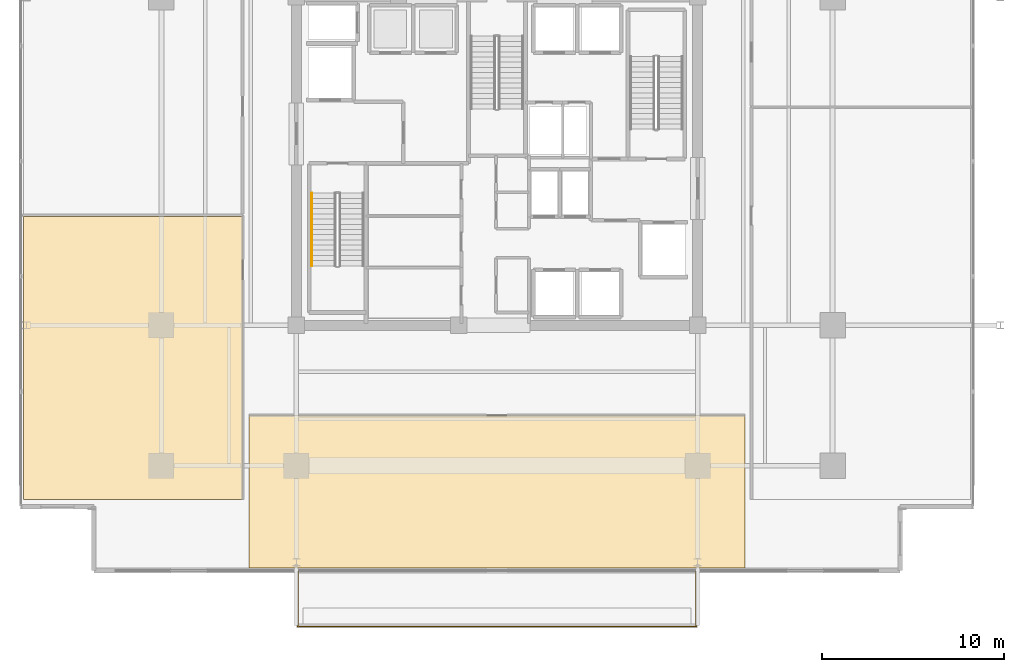
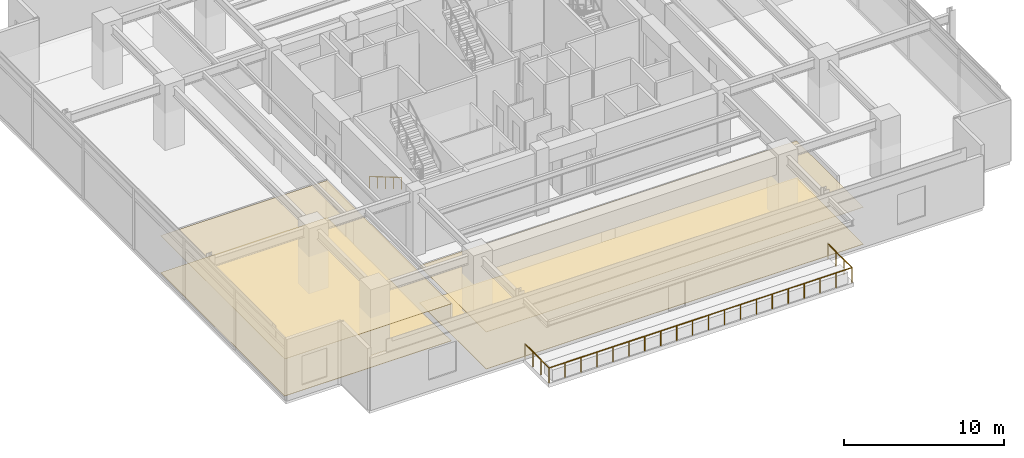
# One storey, part 20 of 25: 4 coverings, 2 railings.
"""IFC4 building model written with IfcOpenShell, lengths in metres."""

import ifcopenshell
import ifcopenshell.guid

model = None  # the IFC model being written
_history = None  # IfcOwnerHistory: only IFC2X3 demands one
_inside = {}  # id of a spatial element -> (the spatial element, [elements in it])
_under = {}  # id of a project, library or spatial element -> (it, [spatial elements below it])
_declared = {}  # id of a project -> (the project, [libraries it declares])
_typed = {}  # id of a type object -> (the type object, [elements of that type])
_made_of = {}  # id of a material, layer set ... -> (it, [elements and type objects made of it])


def new_model(schema):
    """Start an empty IFC model of exactly this schema.

    Asked for "IFC4X3", IfcOpenShell would pick the latest addendum, in which some entities
    have other attributes; the version numbers below select the first issue.
    IFC2X3 requires an IfcOwnerHistory on every rooted entity: one is made here for all.
    """
    global model, _history
    if schema == "IFC4X3":
        model = ifcopenshell.file(schema_version=(4, 3, 0, 0))
    else:
        model = ifcopenshell.file(schema=schema)
    _inside.clear()
    _under.clear()
    _declared.clear()
    _typed.clear()
    _made_of.clear()
    _history = None
    if model.schema == "IFC2X3":
        org = make("IfcOrganization", Name="unknown")
        user = make(
            "IfcPersonAndOrganization",
            ThePerson=make("IfcPerson", FamilyName="unknown"),
            TheOrganization=org,
        )
        app = make(
            "IfcApplication",
            ApplicationDeveloper=org,
            Version="unknown",
            ApplicationFullName="unknown",
            ApplicationIdentifier="unknown",
        )
        _history = make(
            "IfcOwnerHistory",
            OwningUser=user,
            OwningApplication=app,
            ChangeAction="ADDED",
            CreationDate=0,
        )
    return model


def make(cls, **values):
    """One entity of the class cls with the attributes given. An attribute that is None is left unset."""
    return model.create_entity(
        cls, **{name: value for name, value in values.items() if value is not None}
    )


def rooted(cls, **values):
    """An entity with a GlobalId (a new one), such as an element, a storey or a relation."""
    return make(cls, GlobalId=ifcopenshell.guid.new(), OwnerHistory=_history, **values)


def si_unit(unit_type, name, prefix=None):
    """IfcSIUnit, for example si_unit("LENGTHUNIT", "METRE", prefix="MILLI")."""
    return make("IfcSIUnit", UnitType=unit_type, Prefix=prefix, Name=name)


def assignment(units):
    """IfcUnitAssignment: the units of a project."""
    return None if units is None else make("IfcUnitAssignment", Units=units)


def point(xyz):
    """IfcCartesianPoint."""
    return None if xyz is None else make("IfcCartesianPoint", Coordinates=xyz)


def direction(xyz):
    """IfcDirection."""
    return None if xyz is None else make("IfcDirection", DirectionRatios=xyz)


def frame(location, z_axis=None, x_axis=None):
    """IfcAxis2Placement3D, a coordinate frame: its origin and axes. An axis left out is left unset."""
    return make(
        "IfcAxis2Placement3D",
        Location=point(location),
        Axis=direction(z_axis),
        RefDirection=direction(x_axis),
    )


def frame_2d(location, x_axis=None):
    """IfcAxis2Placement2D, a coordinate frame in the plane: its origin and x axis."""
    return make(
        "IfcAxis2Placement2D", Location=point(location), RefDirection=direction(x_axis)
    )


def origin():
    """The frame at (0, 0, 0) with its axes left unset."""
    return frame((0.0, 0.0, 0.0))


def origin_2d():
    """The frame at (0, 0) in the plane with its x axis left unset."""
    return frame_2d((0.0, 0.0))


def place(relative_to, where):
    """IfcLocalPlacement: puts the frame where relative to a parent placement (None: the world)."""
    return make(
        "IfcLocalPlacement", PlacementRelTo=relative_to, RelativePlacement=where
    )


def context(
    kind, dimensions, precision=None, world=None, true_north=None, identifier=None
):
    """IfcGeometricRepresentationContext, for example the 3D "Model" context."""
    return make(
        "IfcGeometricRepresentationContext",
        ContextIdentifier=identifier,
        ContextType=kind,
        CoordinateSpaceDimension=dimensions,
        Precision=precision,
        WorldCoordinateSystem=world,
        TrueNorth=true_north,
    )


def subcontext(parent, identifier, kind, view, scale=None):
    """IfcGeometricRepresentationSubContext, for example "Body" below "Model"."""
    return make(
        "IfcGeometricRepresentationSubContext",
        ContextIdentifier=identifier,
        ContextType=kind,
        ParentContext=parent,
        TargetScale=scale,
        TargetView=view,
    )


def project(units=None, contexts=None):
    """IfcProject with its units and contexts."""
    return rooted(
        "IfcProject",
        Name="project",
        RepresentationContexts=contexts,
        UnitsInContext=assignment(units),
    )


def spatial(cls, under=None, at=None, **own):
    """A site, building, storey or space (cls), placed at a placement, below another one or the project."""
    s = rooted(cls, ObjectPlacement=at, **own)
    if under is not None:
        _under.setdefault(under.id(), (under, []))[1].append(s)
    return s


def polyline(points):
    """IfcPolyline through the points."""
    return make("IfcPolyline", Points=[point(p) for p in points])


def profile(cls, at=None, kind="AREA", **sizes):
    """A parametric profile (cls). Its sizes go by their IFC names, for example OverallWidth=200.0."""
    return make(cls, ProfileType=kind, Position=at, **sizes)


def circle(**sizes):
    """IfcCircleProfileDef."""
    return profile("IfcCircleProfileDef", **sizes)


def outline(outer, holes=None, kind="AREA"):
    """IfcArbitraryClosedProfileDef: a profile drawn as a closed curve; with holes, ...WithVoids."""
    if holes is None:
        return make("IfcArbitraryClosedProfileDef", ProfileType=kind, OuterCurve=outer)
    return make(
        "IfcArbitraryProfileDefWithVoids",
        ProfileType=kind,
        OuterCurve=outer,
        InnerCurves=holes,
    )


def extrude(swept, where, along, depth):
    """IfcExtrudedAreaSolid: the profile swept, set in the frame where, extruded along a direction by depth."""
    return make(
        "IfcExtrudedAreaSolid",
        SweptArea=swept,
        Position=where,
        ExtrudedDirection=direction(along),
        Depth=depth,
    )


def shape(context_of_items, identifier, shape_type, items):
    """IfcShapeRepresentation: the items that make up one representation, for example the "Body"."""
    return make(
        "IfcShapeRepresentation",
        ContextOfItems=context_of_items,
        RepresentationIdentifier=identifier,
        RepresentationType=shape_type,
        Items=items,
    )


def material(Name=None, Category=None):
    """IfcMaterial."""
    return make("IfcMaterial", Name=Name, Category=Category)


def layer(
    of_material, thickness, ventilated=None, Name=None, Category=None, Priority=None
):
    """IfcMaterialLayer: one layer of a wall or slab, of a material (None: an air gap)."""
    return make(
        "IfcMaterialLayer",
        Material=of_material,
        LayerThickness=thickness,
        IsVentilated=ventilated,
        Name=Name,
        Category=Category,
        Priority=Priority,
    )


def layer_set(layers, Name=None):
    """IfcMaterialLayerSet."""
    return make("IfcMaterialLayerSet", MaterialLayers=layers, LayerSetName=Name)


def made_of(thing, what):
    """Note that an element or type object is made of a material, layer set ...; save() writes the relation."""
    if what is not None:
        _made_of.setdefault(what.id(), (what, []))[1].append(thing)
    return thing


def type_object(cls, material=None, **own):
    """A type object (cls), such as IfcWallType, which elements share."""
    return made_of(rooted(cls, **own), material)


def element(
    cls,
    number,
    at=None,
    inside=None,
    cuts=None,
    type_object=None,
    material=None,
    context=None,
    identifier="Body",
    shape_type=None,
    held_by="IfcProductDefinitionShape",
    body=None,
    shapes=None,
    **own,
):
    """One element of the class cls, such as IfcWall. Its Tag is "e" and its number.

    at: its placement. inside: the storey or other place that contains it. cuts: it is an
    opening in that element (IfcRelVoidsElement). A single representation is given by context,
    identifier, shape_type and body (its items); several are given by shapes. held_by: the class
    of the entity that holds the representations. save() writes the other relations.
    """
    e = rooted(cls, Tag="e%d" % number, ObjectPlacement=at, **own)
    if body is not None:
        shapes = [shape(context, identifier, shape_type, body)]
    if shapes is not None:
        e.Representation = make(held_by, Representations=shapes)
    if inside is not None:
        _inside.setdefault(inside.id(), (inside, []))[1].append(e)
    if cuts is not None:
        rooted(
            "IfcRelVoidsElement", RelatingBuildingElement=cuts, RelatedOpeningElement=e
        )
    if type_object is not None:
        _typed.setdefault(type_object.id(), (type_object, []))[1].append(e)
    return made_of(e, material)


def aggregate(whole, parts):
    """IfcRelAggregates: a whole, such as a stair, and the parts it consists of."""
    return rooted("IfcRelAggregates", RelatingObject=whole, RelatedObjects=parts)


def save(model, path):
    """Write the relations noted so far, then the file.

    IfcRelAggregates (storeys below a building ...), IfcRelContainedInSpatialStructure (elements
    in a storey), IfcRelDefinesByType, IfcRelAssociatesMaterial and IfcRelDeclares: one each for
    every whole, place, type object, material and project.
    """
    for whole, parts in _under.values():
        aggregate(whole, parts)
    for where, things in _inside.values():
        rooted(
            "IfcRelContainedInSpatialStructure",
            RelatedElements=things,
            RelatingStructure=where,
        )
    for kind, things in _typed.values():
        rooted("IfcRelDefinesByType", RelatedObjects=things, RelatingType=kind)
    for what, things in _made_of.values():
        rooted("IfcRelAssociatesMaterial", RelatedObjects=things, RelatingMaterial=what)
    for by, libraries in _declared.values():
        rooted("IfcRelDeclares", RelatingContext=by, RelatedDefinitions=libraries)
    model.write(path)


model = new_model("IFC4")

# Units and contexts
model_context = context("Model", 3, precision=1e-05, world=origin(), true_north=direction((0.0, 1.0)))
body_context = subcontext(model_context, "Body", "Model", "MODEL_VIEW")
ifc_project = project(units=[si_unit("LENGTHUNIT", "METRE"), si_unit("AREAUNIT", "SQUARE_METRE"), si_unit("VOLUMEUNIT", "CUBIC_METRE"), si_unit("PLANEANGLEUNIT", "RADIAN"), si_unit("MASSUNIT", "GRAM", prefix="KILO")], contexts=[model_context])

# Site, building, storey
site_placement = place(None, origin())
site = spatial("IfcSite", under=ifc_project, at=site_placement, CompositionType="ELEMENT")
building_placement = place(site_placement, origin())
building = spatial("IfcBuilding", under=site, at=building_placement, Name="Kovane Verandah Tower", CompositionType="ELEMENT")
storey_placement = place(building_placement, frame((0.0, 0.0, 233.199951171875)))
storey = spatial("IfcBuildingStorey", under=building, at=storey_placement, Name="L54", CompositionType="ELEMENT", Elevation=233.199951171875)

# Coverings
ifc_material_1 = material(Name="Perforated Acoustic Mineral-Fibre Ceiling Tile", Category="gypsum")
ifc_layer_1 = layer(ifc_material_1, 0.02490234375)
ifc_layer_set_1 = layer_set([ifc_layer_1], Name="Perforated Acoustic Mineral-Fibre Ceiling Tile")
covering_type_1 = type_object("IfcCoveringType", Name="CV-CEIL-25", PredefinedType="CEILING", material=ifc_layer_set_1)
covering_1_placement = place(storey_placement, frame((0.0, 0.0, 2.824951171875)))
element("IfcCovering", 1, at=covering_1_placement, inside=storey, type_object=covering_type_1, Name="L54 Breakout Pantry S1 Acoustic Ceiling", PredefinedType="CEILING", context=body_context, shape_type="SweptSolid", body=[
    extrude(outline(polyline([(26.39990234375, 5.200439453125), (53.60009765625, 5.200439453125), (53.60009765625, 13.550048828125), (26.39990234375, 13.550048828125), (26.39990234375, 5.200439453125)])), origin(), (0.0, 0.0, 1.0), 0.025146484375),
])
covering_2_placement = place(storey_placement, frame((0.0, 0.0, 2.824951171875)))
element("IfcCovering", 2, at=covering_2_placement, inside=storey, type_object=covering_type_1, Name="L54 Collaboration Hub W1 Acoustic Ceiling", PredefinedType="CEILING", context=body_context, shape_type="SweptSolid", body=[
    extrude(outline(polyline([(14.042724609375, 8.950439453125), (26.050048828125, 8.950439453125), (26.050048828125, 24.462158203125), (14.042724609375, 24.462158203125), (14.042724609375, 8.950439453125)])), origin(), (0.0, 0.0, 1.0), 0.025146484375),
])
ifc_material_2 = material(Name="Polished Terrazzo and Raised-Access Carpet Tile Finish", Category="concrete")
ifc_layer_2 = layer(ifc_material_2, 0.030029296875)
ifc_layer_set_2 = layer_set([ifc_layer_2], Name="Polished Terrazzo and Raised-Access Carpet Tile Finish")
covering_type_2 = type_object("IfcCoveringType", Name="CV-FLOR-30", PredefinedType="FLOORING", material=ifc_layer_set_2)
covering_3_placement = place(storey_placement, origin())
element("IfcCovering", 3, at=covering_3_placement, inside=storey, type_object=covering_type_2, Name="L54 Breakout Pantry S1 Floor Finish", PredefinedType="FLOORING", context=body_context, shape_type="SweptSolid", body=[
    extrude(outline(polyline([(26.39990234375, 5.200439453125), (53.60009765625, 5.200439453125), (53.60009765625, 13.550048828125), (26.39990234375, 13.550048828125), (26.39990234375, 5.200439453125)])), origin(), (0.0, 0.0, 1.0), 0.030029296875),
])
covering_4_placement = place(storey_placement, origin())
element("IfcCovering", 4, at=covering_4_placement, inside=storey, type_object=covering_type_2, Name="L54 Collaboration Hub W1 Floor Finish", PredefinedType="FLOORING", context=body_context, shape_type="SweptSolid", body=[
    extrude(outline(polyline([(14.042724609375, 8.950439453125), (26.050048828125, 8.950439453125), (26.050048828125, 24.462158203125), (14.042724609375, 24.462158203125), (14.042724609375, 8.950439453125)])), origin(), (0.0, 0.0, 1.0), 0.030029296875),
])

# Railings
ifc_material_3 = material(Name="Laminated Glass and Pale-Champagne Stainless Balustrade", Category="glass")
railing_type_1 = type_object("IfcRailingType", Name="RL-BAL-1150", PredefinedType="BALUSTRADE", material=ifc_material_3)
railing_1_placement = place(storey_placement, frame((29.080078125, 5.00048828125, 0.0)))
element("IfcRailing", 5, at=railing_1_placement, inside=storey, type_object=railing_type_1, Name="L54 S Verandah Glass Balustrade", PredefinedType="BALUSTRADE", context=body_context, shape_type="SweptSolid", body=[
    extrude(circle(Radius=0.02392578125, at=origin_2d()), frame((0.0, 0.0, 1.1259765625), z_axis=(0.0, -1.0, 0.0), x_axis=(1.0, 0.0, 0.0)), (0.0, 0.0, 1.0), 3.02001953125),
    extrude(circle(Radius=0.02392578125, at=origin_2d()), frame((0.0, -3.02001953125, 1.1259765625), z_axis=(1.0, 0.0, 0.0), x_axis=(0.0, 1.0, 0.0)), (0.0, 0.0, 1.0), 21.83984375),
    extrude(circle(Radius=0.02392578125, at=origin_2d()), frame((21.83984375, -3.02001953125, 1.1259765625), z_axis=(0.0, 1.0, 0.0), x_axis=(-1.0, 0.0, 0.0)), (0.0, 0.0, 1.0), 3.02001953125),
    extrude(circle(Radius=0.02099609375, at=origin_2d()), origin(), (0.0, 0.0, 1.0), 1.101806640625),
    extrude(circle(Radius=0.02099609375, at=origin_2d()), frame((0.0, -1.006591796875, 0.0)), (0.0, 0.0, 1.0), 1.101806640625),
    extrude(circle(Radius=0.02099609375, at=origin_2d()), frame((0.0, -2.013427734375, 0.0)), (0.0, 0.0, 1.0), 1.101806640625),
    extrude(circle(Radius=0.02099609375, at=origin_2d()), frame((0.0, -3.02001953125, 0.0)), (0.0, 0.0, 1.0), 1.101806640625),
    extrude(circle(Radius=0.02099609375, at=origin_2d()), frame((1.1494140625, -3.02001953125, 0.0)), (0.0, 0.0, 1.0), 1.101806640625),
    extrude(circle(Radius=0.02099609375, at=origin_2d()), frame((2.298828125, -3.02001953125, 0.0)), (0.0, 0.0, 1.0), 1.101806640625),
    extrude(circle(Radius=0.02099609375, at=origin_2d()), frame((3.448486328125, -3.02001953125, 0.0)), (0.0, 0.0, 1.0), 1.101806640625),
    extrude(circle(Radius=0.02099609375, at=origin_2d()), frame((4.597900390625, -3.02001953125, 0.0)), (0.0, 0.0, 1.0), 1.101806640625),
    extrude(circle(Radius=0.02099609375, at=origin_2d()), frame((5.747314453125, -3.02001953125, 0.0)), (0.0, 0.0, 1.0), 1.101806640625),
    extrude(circle(Radius=0.02099609375, at=origin_2d()), frame((6.896728515625, -3.02001953125, 0.0)), (0.0, 0.0, 1.0), 1.101806640625),
    extrude(circle(Radius=0.02099609375, at=origin_2d()), frame((8.046142578125, -3.02001953125, 0.0)), (0.0, 0.0, 1.0), 1.101806640625),
    extrude(circle(Radius=0.02099609375, at=origin_2d()), frame((9.19580078125, -3.02001953125, 0.0)), (0.0, 0.0, 1.0), 1.101806640625),
    extrude(circle(Radius=0.02099609375, at=origin_2d()), frame((10.34521484375, -3.02001953125, 0.0)), (0.0, 0.0, 1.0), 1.101806640625),
    extrude(circle(Radius=0.02099609375, at=origin_2d()), frame((11.49462890625, -3.02001953125, 0.0)), (0.0, 0.0, 1.0), 1.101806640625),
    extrude(circle(Radius=0.02099609375, at=origin_2d()), frame((12.64404296875, -3.02001953125, 0.0)), (0.0, 0.0, 1.0), 1.101806640625),
    extrude(circle(Radius=0.02099609375, at=origin_2d()), frame((13.793701171875, -3.02001953125, 0.0)), (0.0, 0.0, 1.0), 1.101806640625),
    extrude(circle(Radius=0.02099609375, at=origin_2d()), frame((14.943115234375, -3.02001953125, 0.0)), (0.0, 0.0, 1.0), 1.101806640625),
    extrude(circle(Radius=0.02099609375, at=origin_2d()), frame((16.092529296875, -3.02001953125, 0.0)), (0.0, 0.0, 1.0), 1.101806640625),
    extrude(circle(Radius=0.02099609375, at=origin_2d()), frame((17.241943359375, -3.02001953125, 0.0)), (0.0, 0.0, 1.0), 1.101806640625),
    extrude(circle(Radius=0.02099609375, at=origin_2d()), frame((18.391357421875, -3.02001953125, 0.0)), (0.0, 0.0, 1.0), 1.101806640625),
    extrude(circle(Radius=0.02099609375, at=origin_2d()), frame((19.541015625, -3.02001953125, 0.0)), (0.0, 0.0, 1.0), 1.101806640625),
    extrude(circle(Radius=0.02099609375, at=origin_2d()), frame((20.6904296875, -3.02001953125, 0.0)), (0.0, 0.0, 1.0), 1.101806640625),
    extrude(circle(Radius=0.02099609375, at=origin_2d()), frame((21.83984375, -3.02001953125, 0.0)), (0.0, 0.0, 1.0), 1.101806640625),
    extrude(circle(Radius=0.02099609375, at=origin_2d()), frame((21.83984375, -2.013427734375, 0.0)), (0.0, 0.0, 1.0), 1.101806640625),
    extrude(circle(Radius=0.02099609375, at=origin_2d()), frame((21.83984375, -1.006591796875, 0.0)), (0.0, 0.0, 1.0), 1.101806640625),
    extrude(circle(Radius=0.02099609375, at=origin_2d()), frame((21.83984375, 0.0, 0.0)), (0.0, 0.0, 1.0), 1.101806640625),
])
ifc_material_4 = material(Name="Brushed Stainless Steel Handrail", Category="steel")
railing_type_2 = type_object("IfcRailingType", Name="RL-HAND-920", PredefinedType="HANDRAIL", material=ifc_material_4)
railing_2_placement = place(storey_placement, frame((29.85009765625, 25.75, 0.166748046875)))
element("IfcRailing", 6, at=railing_2_placement, inside=storey, type_object=railing_type_2, Name="L54 ST-01 stair handrail 1", PredefinedType="HANDRAIL", context=body_context, shape_type="SweptSolid", body=[
    extrude(circle(Radius=0.02392578125, at=origin_2d()), frame((0.0, 0.0, 0.8759765625), z_axis=(0.0, -0.863236243904, 0.504800145811), x_axis=(1.0, 0.0, 0.0)), (0.0, 0.0, 1.0), 4.6220703125),
    extrude(circle(Radius=0.02099609375, at=origin_2d()), origin(), (0.0, 0.0, 1.0), 0.851806640625),
    extrude(circle(Radius=0.02099609375, at=origin_2d()), frame((0.0, -0.99755859375, 0.583251953125)), (0.0, 0.0, 1.0), 0.851806640625),
    extrude(circle(Radius=0.02099609375, at=origin_2d()), frame((0.0, -1.9951171875, 1.16650390625)), (0.0, 0.0, 1.0), 0.851806640625),
    extrude(circle(Radius=0.02099609375, at=origin_2d()), frame((0.0, -2.992431640625, 1.75)), (0.0, 0.0, 1.0), 0.851806640625),
    extrude(circle(Radius=0.02099609375, at=origin_2d()), frame((0.0, -3.989990234375, 2.333251953125)), (0.0, 0.0, 1.0), 0.851806640625),
])

save(model, "model.ifc")
